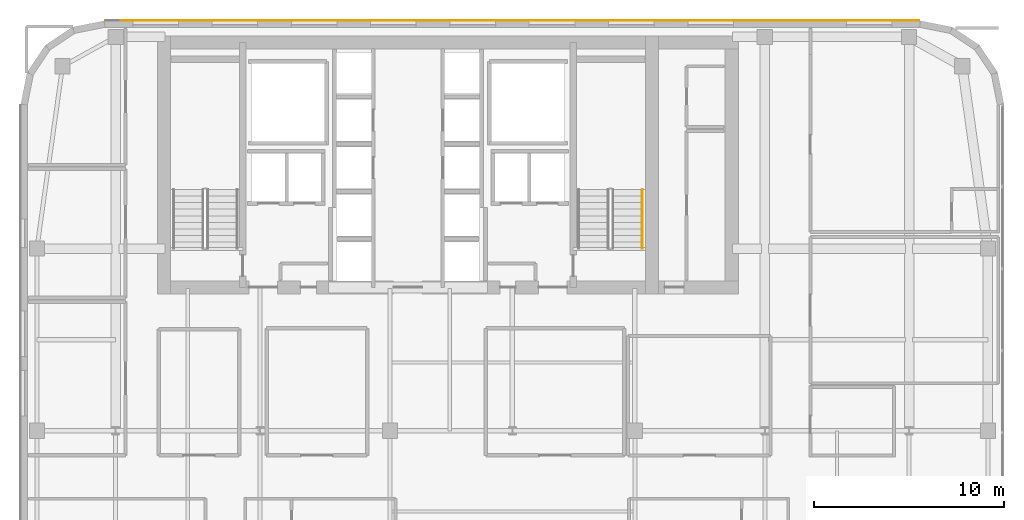
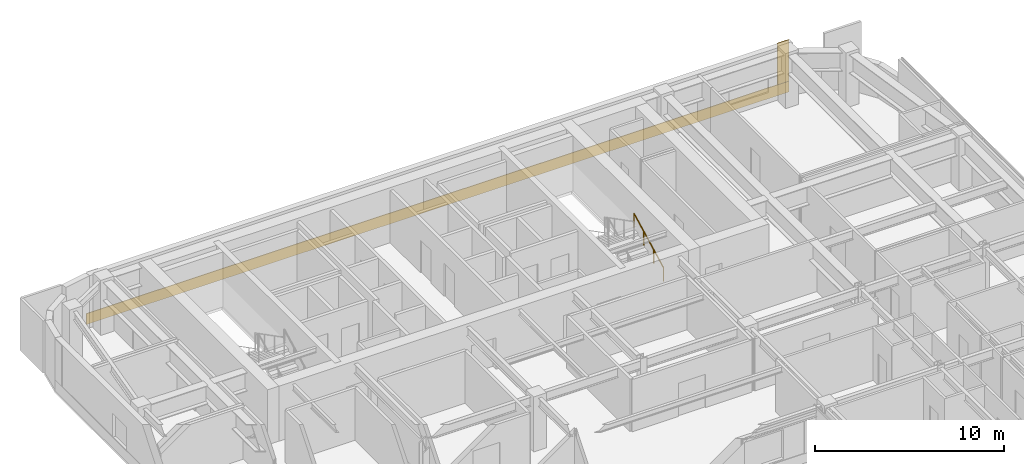
# One storey, part 26 of 26: 2 coverings, 1 railing.
"""IFC4 building model written with IfcOpenShell, lengths in metres."""

from ifc_helpers import new_model, si_unit, direction, frame, origin, origin_2d, place, context, subcontext, project, spatial, polyline, circle, outline, extrude, material, layer, layer_set, type_object, element, save


model = new_model("IFC4")

# Units and contexts
model_context = context("Model", 3, precision=1e-05, world=origin(), true_north=direction((0.0, 1.0)))
body_context = subcontext(model_context, "Body", "Model", "MODEL_VIEW")
ifc_project = project(units=[si_unit("LENGTHUNIT", "METRE"), si_unit("AREAUNIT", "SQUARE_METRE"), si_unit("VOLUMEUNIT", "CUBIC_METRE"), si_unit("PLANEANGLEUNIT", "RADIAN"), si_unit("MASSUNIT", "GRAM", prefix="KILO")], contexts=[model_context])

# Site, building, storey
site_placement = place(None, origin())
site = spatial("IfcSite", under=ifc_project, at=site_placement, CompositionType="ELEMENT")
building_placement = place(site_placement, origin())
building = spatial("IfcBuilding", under=site, at=building_placement, Name="Tolvann Quenvar Hotel", CompositionType="ELEMENT")
storey_placement = place(building_placement, frame((0.0, 0.0, 168.35009765625)))
storey = spatial("IfcBuildingStorey", under=building, at=storey_placement, Name="L44", CompositionType="ELEMENT", Elevation=168.35009765625)

# Coverings
ifc_material_1 = material(Name="Kiln-fired red architectural face brick cladding", Category="masonry")
ifc_layer_1 = layer(ifc_material_1, 0.0400390625)
ifc_layer_set_1 = layer_set([ifc_layer_1], Name="Kiln-fired red architectural face brick cladding")
covering_type_1 = type_object("IfcCoveringType", Name="COV_CLAD_BRICK_40", PredefinedType="CLADDING", material=ifc_layer_set_1)
covering_1_placement = place(storey_placement, frame((0.0, 0.0, 0.699951171875)))
element("IfcCovering", 1, at=covering_1_placement, inside=storey, type_object=covering_type_1, Name="Brick Pier Cladding (L44-E18-P1)", PredefinedType="CLADDING", context=body_context, shape_type="SweptSolid", body=[
    extrude(outline(polyline([(49.932861328125, 46.0), (49.23291015625, 46.0), (49.23291015625, 46.0400390625), (49.932861328125, 46.0400390625), (49.932861328125, 46.0)])), origin(), (0.0, 0.0, 1.0), 2.669921875),
])
ifc_material_2 = material(Name="Moulded buff architectural terracotta spandrel cladding", Category="masonry")
ifc_layer_2 = layer(ifc_material_2, 0.0400390625)
ifc_layer_set_2 = layer_set([ifc_layer_2], Name="Moulded buff architectural terracotta spandrel cladding")
covering_type_2 = type_object("IfcCoveringType", Name="COV_CLAD_TERRA_40", PredefinedType="CLADDING", material=ifc_layer_set_2)
covering_2_placement = place(storey_placement, origin())
element("IfcCovering", 2, at=covering_2_placement, inside=storey, type_object=covering_type_2, Name="Terracotta Spandrel Cladding (L44-E18)", PredefinedType="CLADDING", context=body_context, shape_type="SweptSolid", body=[
    extrude(outline(polyline([(49.94287109375, 46.0), (7.05712890625, 46.0), (7.05712890625, 46.0400390625), (49.94287109375, 46.0400390625), (49.94287109375, 46.0)])), origin(), (0.0, 0.0, 1.0), 0.699951171875),
])

# Railing
ifc_material_3 = material(Name="Brushed 316 stainless steel balustrade and handrail", Category="steel")
railing_type = type_object("IfcRailingType", Name="HANDRAIL", PredefinedType="HANDRAIL", material=ifc_material_3)
railing_placement = place(storey_placement, frame((35.35009765625, 34.0, 0.177490234375)))
element("IfcRailing", 3, at=railing_placement, inside=storey, type_object=railing_type, Name="L44 ST-C2 stair handrail 1", PredefinedType="HANDRAIL", context=body_context, shape_type="SweptSolid", body=[
    extrude(circle(Radius=0.02392578125, at=origin_2d()), frame((0.0, 0.0, 0.8759765625), z_axis=(0.0, 0.889221982265, 0.45747597342), x_axis=(-1.0, 0.0, 0.0)), (0.0, 0.0, 1.0), 3.49169921875),
    extrude(circle(Radius=0.02099609375, at=origin_2d()), origin(), (0.0, 0.0, 1.0), 0.851806640625),
    extrude(circle(Radius=0.02099609375, at=origin_2d()), frame((0.0, 1.034912109375, 0.532470703125)), (0.0, 0.0, 1.0), 0.851806640625),
    extrude(circle(Radius=0.02099609375, at=origin_2d()), frame((0.0, 2.070068359375, 1.06494140625)), (0.0, 0.0, 1.0), 0.851806640625),
    extrude(circle(Radius=0.02099609375, at=origin_2d()), frame((0.0, 3.10498046875, 1.597412109375)), (0.0, 0.0, 1.0), 0.851806640625),
])

save(model, "model.ifc")
